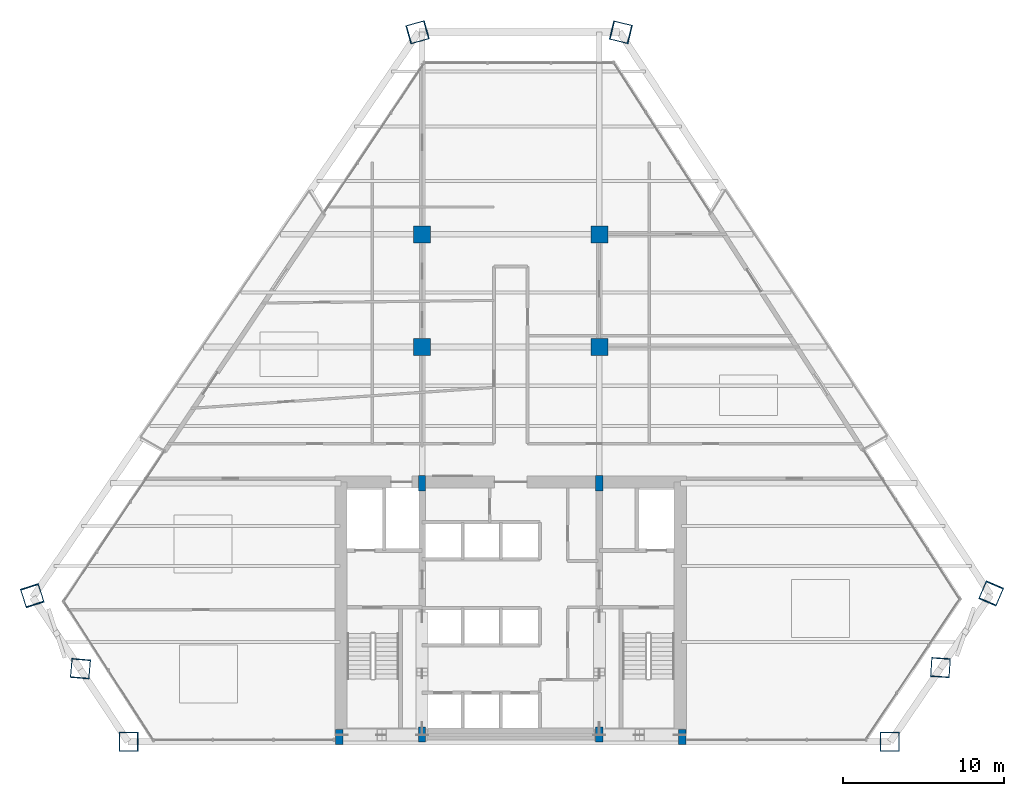
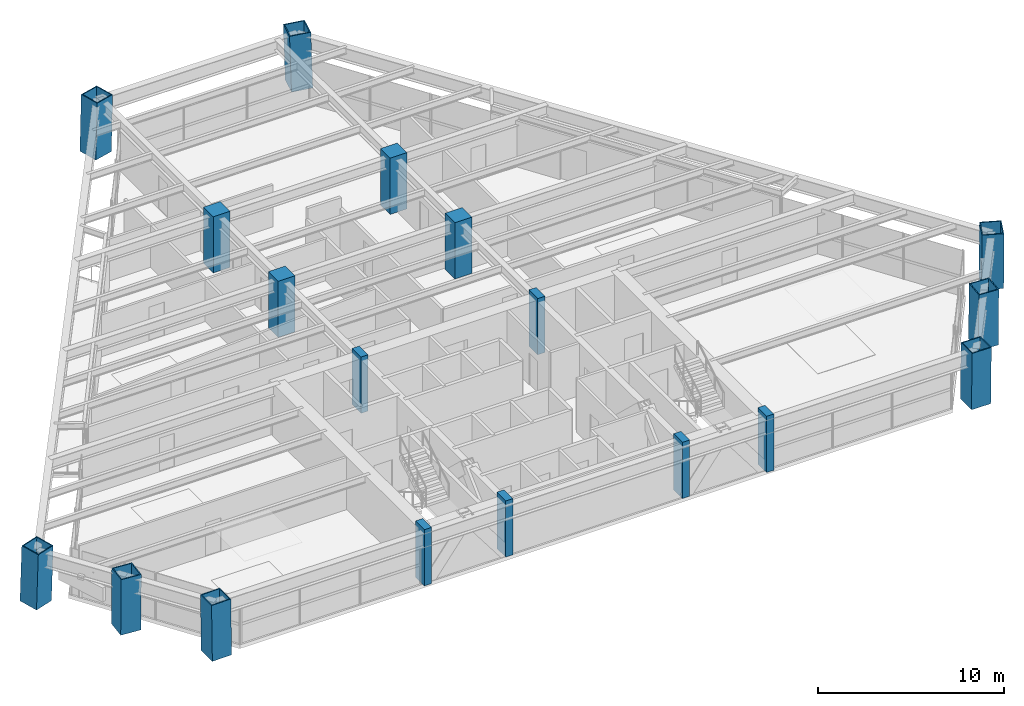
# One storey, part 1 of 14: 18 columns.
"""IFC4 building model written with IfcOpenShell, lengths in metres."""

from ifc_helpers import new_model, si_unit, direction, frame, origin, origin_2d, place, context, subcontext, project, spatial, rectangle, hollow_rectangle, extrude, source, transform, mapped, material, material_profile, profile_set, type_object, type_shapes, element, save


model = new_model("IFC4")

# Units and contexts
model_context = context("Model", 3, precision=1e-05, world=origin(), true_north=direction((0.0, 1.0)))
body_context = subcontext(model_context, "Body", "Model", "MODEL_VIEW")
ifc_project = project(units=[si_unit("LENGTHUNIT", "METRE"), si_unit("AREAUNIT", "SQUARE_METRE"), si_unit("VOLUMEUNIT", "CUBIC_METRE"), si_unit("PLANEANGLEUNIT", "RADIAN"), si_unit("MASSUNIT", "GRAM", prefix="KILO")], contexts=[model_context])

# Site, building, storey
site_placement = place(None, origin())
site = spatial("IfcSite", under=ifc_project, at=site_placement, CompositionType="ELEMENT")
building_placement = place(site_placement, origin())
building = spatial("IfcBuilding", under=site, at=building_placement, Name="Varnakhor Terracotta Tower", CompositionType="ELEMENT")
storey_placement = place(building_placement, frame((0.0, 0.0, 102.5)))
storey = spatial("IfcBuildingStorey", under=building, at=storey_placement, Name="L25", CompositionType="ELEMENT", Elevation=102.5)

# Columns
ifc_material_1 = material(Name="Concrete C50/60", Category="concrete")
ifc_material_profile_1 = material_profile(ifc_material_1, rectangle(XDim=0.449951171875, YDim=0.949951171875, at=origin_2d()), Name="RC PILASTER 950x450")
ifc_profile_set_1 = profile_set([ifc_material_profile_1], Name="Concrete C50/60")
column_type_1 = type_object("IfcColumnType", Name="COL-PIL-950x450", PredefinedType="PILASTER", material=ifc_profile_set_1)
shared_shape_1 = source(origin(), body_context, "Body", "SweptSolid", [
    extrude(rectangle(XDim=0.449951171875, YDim=0.949951171875, at=origin_2d()), origin(), (0.0, 0.0, 1.0), 3.699951171875),
])
for number, where, z_axis, x_axis, name in (
    (1, (-10.64990234375, 0.300048828125, 0.0), (0.0, 0.0, 1.0), (1.0, 0.0, 0.0), "L25 Core Pilaster CP1"),
    (2, (-5.5, 0.449951171875, 0.0), (0.0, 0.0, 1.0), (1.0, 0.0, 0.0), "L25 Core Pilaster CP2"),
    (3, (5.5, 0.449951171875, 0.0), (0.0, 0.0, 1.0), (1.0, 0.0, 0.0), "L25 Core Pilaster CP3"),
    (4, (10.64990234375, 0.300048828125, 0.0), (0.0, 0.0, 1.0), (1.0, 0.0, 0.0), "L25 Core Pilaster CP4"),
    (5, (-5.5, 16.050048828125, 0.0), (0.0, 0.0, 1.0), (1.0, 0.0, 0.0), "L25 Core Pilaster CP5"),
    (6, (5.5, 16.050048828125, 0.0), (0.0, 0.0, 1.0), (1.0, 0.0, 0.0), "L25 Core Pilaster CP6"),
):
    element("IfcColumn", number, at=place(storey_placement, frame(where, z_axis=z_axis, x_axis=x_axis)), inside=storey, type_object=column_type_1, Name=name, PredefinedType="PILASTER", context=body_context, shape_type="MappedRepresentation", body=[
        mapped(shared_shape_1, transform((0.0, 0.0, 0.0), scale=1.0)),
    ])
ifc_material_2 = material(Name="Concrete C60/75", Category="concrete")
ifc_material_profile_2 = material_profile(ifc_material_2, rectangle(XDim=1.050048828125, YDim=1.050048828125, at=origin_2d()), Name="RC 1050x1050")
ifc_profile_set_2 = profile_set([ifc_material_profile_2], Name="Concrete C60/75")
column_type_2 = type_object("IfcColumnType", Name="COL-RC-1050", PredefinedType="COLUMN", material=ifc_profile_set_2)
shared_shape_2 = source(origin(), body_context, "Body", "SweptSolid", [
    extrude(rectangle(XDim=1.050048828125, YDim=1.050048828125, at=origin_2d()), origin(), (0.0, 0.0, 1.0), 3.699951171875),
])
for number, where, z_axis, x_axis, name in (
    (7, (-5.5, 24.5, 0.0), (0.0, 0.0, 1.0), (1.0, 0.0, 0.0), "L25 Interior Tower Column IC1"),
    (8, (5.5, 24.5, 0.0), (0.0, 0.0, 1.0), (1.0, 0.0, 0.0), "L25 Interior Tower Column IC2"),
    (9, (-5.5, 31.5, 0.0), (0.0, 0.0, 1.0), (1.0, 0.0, 0.0), "L25 Interior Tower Column IC3"),
    (10, (5.5, 31.5, 0.0), (0.0, 0.0, 1.0), (1.0, 0.0, 0.0), "L25 Interior Tower Column IC4"),
):
    element("IfcColumn", number, at=place(storey_placement, frame(where, z_axis=z_axis, x_axis=x_axis)), inside=storey, type_object=column_type_2, Name=name, PredefinedType="COLUMN", context=body_context, shape_type="MappedRepresentation", body=[
        mapped(shared_shape_2, transform((0.0, 0.0, 0.0), scale=1.0)),
    ])
ifc_material_3 = material(Name="Steel S460", Category="steel")
ifc_material_profile_3 = material_profile(ifc_material_3, hollow_rectangle(XDim=1.199951171875, YDim=1.199951171875, WallThickness=0.06005859375, at=origin_2d()), Name="BOX 1200x1200x60")
ifc_profile_set_3 = profile_set([ifc_material_profile_3], Name="Steel S460")
column_type_3 = type_object("IfcColumnType", Name="COL-MEGA-1200", PredefinedType="COLUMN", material=ifc_profile_set_3)
shared_shape_3 = source(origin(), body_context, "Body", "SweptSolid", [
    extrude(hollow_rectangle(XDim=1.199951171875, YDim=1.199951171875, WallThickness=0.06005859375, at=origin_2d()), origin(), (0.0, 0.0, 1.0), 3.691650390625),
])
type_shapes(column_type_3, [shared_shape_3])
for number, where, z_axis, x_axis, name in (
    (11, (26.68115234375, 4.61328125, 0.00439453125), (-0.001058137148, -0.015872057217, 0.999873471068), (0.997785157857, -0.066519010524, 0.0), "L25 Perimeter Mega-Column M3"),
    (12, (-26.710205078125, 4.544189453125, 0.00439453125), (-0.001454917462, -0.01673155081, 0.999858959265), (0.996240588196, -0.086629616365, 0.0), "L25 Perimeter Mega-Column M8"),
):
    element("IfcColumn", number, at=place(storey_placement, frame(where, z_axis=z_axis, x_axis=x_axis)), inside=storey, type_object=column_type_3, Name=name, PredefinedType="COLUMN", context=body_context, shape_type="MappedRepresentation", body=[
        mapped(shared_shape_3, transform((0.0, 0.0, 0.0), scale=1.0)),
    ])
shared_shape_4 = source(origin(), body_context, "Body", "SweptSolid", [
    extrude(hollow_rectangle(XDim=1.199951171875, YDim=1.199951171875, WallThickness=0.06005859375, at=origin_2d()), origin(), (0.0, 0.0, 1.0), 3.69140625),
])
for number, where, z_axis, x_axis, name in (
    (13, (-23.710693359375, 0.0, 0.00439453125), (-0.013822344968, 0.0, 0.999904466827), (0.0, -1.0, 0.0), "L25 Perimeter Mega-Column M1"),
    (14, (23.525390625, 0.0, 0.00439453125), (0.011507935577, 0.0, 0.999933781517), (0.0, 1.0, 0.0), "L25 Perimeter Mega-Column M2"),
):
    element("IfcColumn", number, at=place(storey_placement, frame(where, z_axis=z_axis, x_axis=x_axis)), inside=storey, type_object=column_type_3, Name=name, PredefinedType="COLUMN", context=body_context, shape_type="MappedRepresentation", body=[
        mapped(shared_shape_4, transform((0.0, 0.0, 0.0), scale=1.0)),
    ])
shared_shape_5 = source(origin(), body_context, "Body", "SweptSolid", [
    extrude(hollow_rectangle(XDim=1.199951171875, YDim=1.199951171875, WallThickness=0.06005859375, at=origin_2d()), origin(), (0.0, 0.0, 1.0), 3.693359375),
])
for number, where, z_axis, x_axis, name in (
    (15, (29.8369140625, 9.226318359375, 0.00439453125), (-0.013617115555, -0.031729201292, 0.999403738211), (0.918946864957, -0.394381362878, 0.0), "L25 Perimeter Mega-Column M4"),
    (16, (-29.70947265625, 9.08837890625, 0.00439453125), (0.010774477981, -0.033447152507, 0.999382408597), (0.951832645985, 0.306618026276, 0.0), "L25 Perimeter Mega-Column M7"),
):
    element("IfcColumn", number, at=place(storey_placement, frame(where, z_axis=z_axis, x_axis=x_axis)), inside=storey, type_object=column_type_3, Name=name, PredefinedType="COLUMN", context=body_context, shape_type="MappedRepresentation", body=[
        mapped(shared_shape_5, transform((0.0, 0.0, 0.0), scale=1.0)),
    ])
shared_shape_6 = source(origin(), body_context, "Body", "SweptSolid", [
    extrude(hollow_rectangle(XDim=1.199951171875, YDim=1.199951171875, WallThickness=0.06005859375, at=origin_2d()), origin(), (0.0, 0.0, 1.0), 3.6923828125),
])
column_1_placement = place(storey_placement, frame((-5.799072265625, 44.041015625, 0.00439453125), z_axis=(0.025455745855, 0.007140832603, 0.999650445662), x_axis=(-0.270093705009, 0.962834041003, 0.0)))
element("IfcColumn", 17, at=column_1_placement, inside=storey, type_object=column_type_3, Name="L25 Perimeter Mega-Column M6", PredefinedType="COLUMN", context=body_context, shape_type="MappedRepresentation", body=[
    mapped(shared_shape_6, transform((0.0, 0.0, 0.0), scale=1.0)),
])
shared_shape_7 = source(origin(), body_context, "Body", "SweptSolid", [
    extrude(hollow_rectangle(XDim=1.199951171875, YDim=1.199951171875, WallThickness=0.06005859375, at=origin_2d()), origin(), (0.0, 0.0, 1.0), 3.69287109375),
])
column_2_placement = place(storey_placement, frame((6.857421875, 44.041015625, 0.00439453125), z_axis=(-0.029551780801, 0.007140027576, 0.999537749291), x_axis=(-0.234853097401, -0.972030875354, 0.0)))
element("IfcColumn", 18, at=column_2_placement, inside=storey, type_object=column_type_3, Name="L25 Perimeter Mega-Column M5", PredefinedType="COLUMN", context=body_context, shape_type="MappedRepresentation", body=[
    mapped(shared_shape_7, transform((0.0, 0.0, 0.0), scale=1.0)),
])

save(model, "model.ifc")
